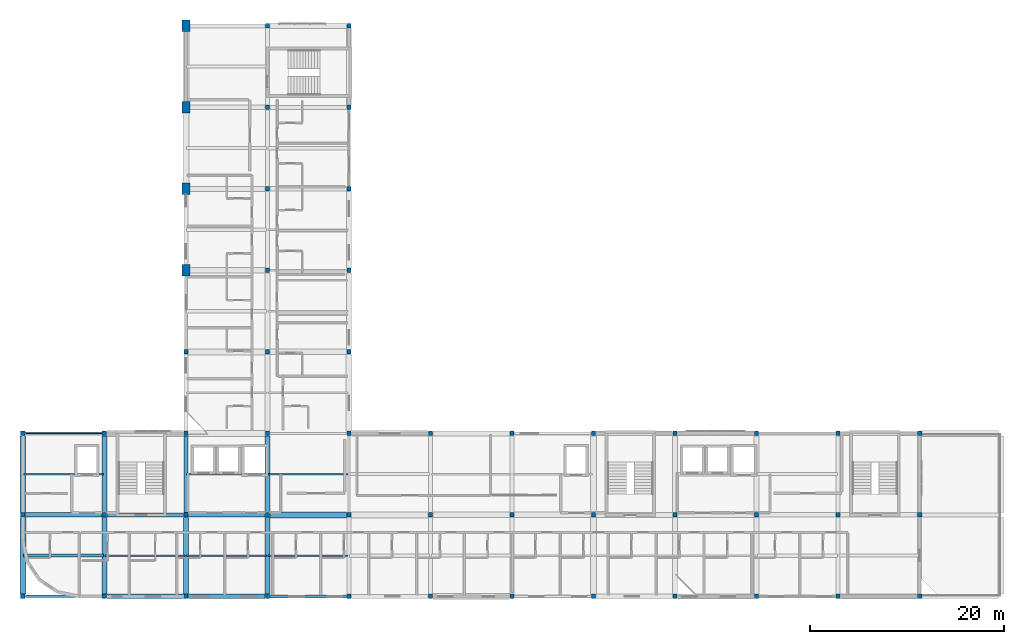
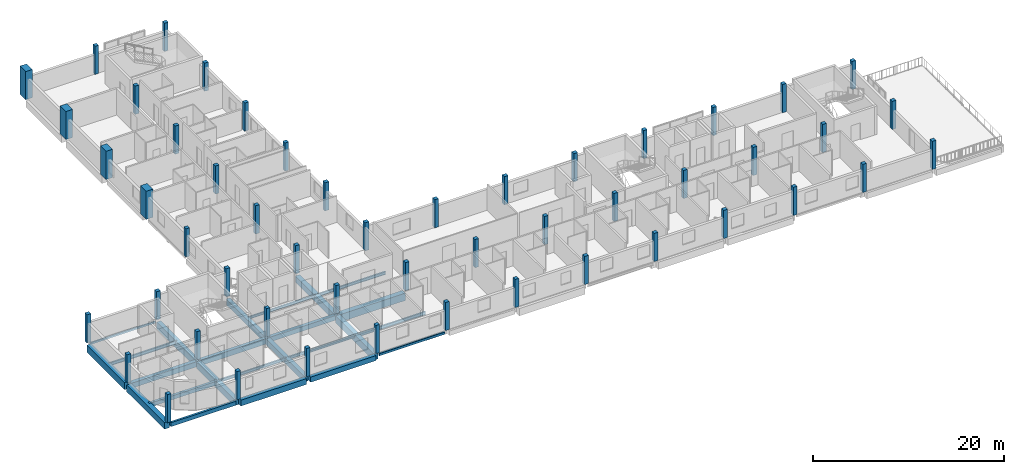
# One storey, part 1 of 19: 51 columns, 24 beams.
"""IFC4 building model written with IfcOpenShell, lengths in metres."""

from ifc_helpers import new_model, si_unit, derived_unit, direction, frame, origin, origin_2d, place, context, subcontext, project, spatial, rectangle, hollow_rectangle, i_section, extrude, material, material_profile, profile_set, type_object, element, save


model = new_model("IFC4")

# Units and contexts
model_context = context("Model", 3, precision=1e-05, world=origin(), true_north=direction((0.0, 1.0)))
body_context = subcontext(model_context, "Body", "Model", "MODEL_VIEW")
ifc_project = project(units=[si_unit("LENGTHUNIT", "METRE"), si_unit("AREAUNIT", "SQUARE_METRE"), si_unit("VOLUMEUNIT", "CUBIC_METRE"), si_unit("PLANEANGLEUNIT", "RADIAN"), si_unit("MASSUNIT", "GRAM", prefix="KILO"), derived_unit("THERMALTRANSMITTANCEUNIT", [(si_unit("POWERUNIT", "WATT"), 1), (si_unit("LENGTHUNIT", "METRE"), -2), (si_unit("THERMODYNAMICTEMPERATUREUNIT", "KELVIN"), -1)])], contexts=[model_context])

# Site, building, storey
site_placement = place(None, origin())
site = spatial("IfcSite", under=ifc_project, at=site_placement, CompositionType="ELEMENT")
building_placement = place(site_placement, origin())
building = spatial("IfcBuilding", under=site, at=building_placement, Name="Barrovel Congress Hotel", CompositionType="ELEMENT")
storey_placement = place(building_placement, frame((0.0, 0.0, 43.5)))
storey = spatial("IfcBuildingStorey", under=building, at=storey_placement, Name="L11", CompositionType="ELEMENT", Elevation=43.5)

# Columns
ifc_material_1 = material(Name="Concrete C40", Category="concrete")
ifc_material_profile_1 = material_profile(ifc_material_1, rectangle(XDim=0.449951171875, YDim=0.449951171875, at=origin_2d()), Name="RC450x450")
ifc_profile_set_1 = profile_set([ifc_material_profile_1], Name="Concrete C40")
column_type_1 = type_object("IfcColumnType", Name="COL-RC450x450", PredefinedType="COLUMN", material=ifc_profile_set_1)
for number, where, z_axis, x_axis, name in (
    (1, (16.800048828125, 4.199951171875, 0.0), (0.0, 0.0, 1.0), (1.0, 0.0, 0.0), "COL:L11:16.8:4.2"),
    (2, (16.800048828125, 12.60009765625, 0.0), (0.0, 0.0, 1.0), (1.0, 0.0, 0.0), "COL:L11:16.8:12.6"),
    (3, (16.800048828125, 21.0, 0.0), (0.0, 0.0, 1.0), (1.0, 0.0, 0.0), "COL:L11:16.8:21.0"),
    (4, (25.199951171875, 4.199951171875, 0.0), (0.0, 0.0, 1.0), (1.0, 0.0, 0.0), "COL:L11:25.2:4.2"),
    (5, (25.199951171875, 12.60009765625, 0.0), (0.0, 0.0, 1.0), (1.0, 0.0, 0.0), "COL:L11:25.2:12.6"),
    (6, (25.199951171875, 21.0, 0.0), (0.0, 0.0, 1.0), (1.0, 0.0, 0.0), "COL:L11:25.2:21.0"),
    (7, (33.60009765625, 4.199951171875, 0.0), (0.0, 0.0, 1.0), (1.0, 0.0, 0.0), "COL:L11:33.6:4.2"),
    (8, (33.60009765625, 12.60009765625, 0.0), (0.0, 0.0, 1.0), (1.0, 0.0, 0.0), "COL:L11:33.6:12.6"),
    (9, (33.60009765625, 21.0, 0.0), (0.0, 0.0, 1.0), (1.0, 0.0, 0.0), "COL:L11:33.6:21.0"),
    (10, (33.60009765625, 29.39990234375, 0.0), (0.0, 0.0, 1.0), (1.0, 0.0, 0.0), "COL:L11:33.6:29.4"),
    (11, (42.0, 4.199951171875, 0.0), (0.0, 0.0, 1.0), (1.0, 0.0, 0.0), "COL:L11:42.0:4.2"),
    (12, (42.0, 12.60009765625, 0.0), (0.0, 0.0, 1.0), (1.0, 0.0, 0.0), "COL:L11:42.0:12.6"),
    (13, (42.0, 21.0, 0.0), (0.0, 0.0, 1.0), (1.0, 0.0, 0.0), "COL:L11:42.0:21.0"),
    (14, (42.0, 29.39990234375, 0.0), (0.0, 0.0, 1.0), (1.0, 0.0, 0.0), "COL:L11:42.0:29.4"),
    (15, (42.0, 37.800048828125, 0.0), (0.0, 0.0, 1.0), (1.0, 0.0, 0.0), "COL:L11:42.0:37.8"),
    (16, (42.0, 46.199951171875, 0.0), (0.0, 0.0, 1.0), (1.0, 0.0, 0.0), "COL:L11:42.0:46.2"),
    (17, (42.0, 54.60009765625, 0.0), (0.0, 0.0, 1.0), (1.0, 0.0, 0.0), "COL:L11:42.0:54.6"),
    (18, (42.0, 63.0, 0.0), (0.0, 0.0, 1.0), (1.0, 0.0, 0.0), "COL:L11:42.0:63.0"),
    (19, (50.39990234375, 4.199951171875, 0.0), (0.0, 0.0, 1.0), (1.0, 0.0, 0.0), "COL:L11:50.4:4.2"),
    (20, (50.39990234375, 12.60009765625, 0.0), (0.0, 0.0, 1.0), (1.0, 0.0, 0.0), "COL:L11:50.4:12.6"),
    (21, (50.39990234375, 21.0, 0.0), (0.0, 0.0, 1.0), (1.0, 0.0, 0.0), "COL:L11:50.4:21.0"),
    (22, (50.39990234375, 29.39990234375, 0.0), (0.0, 0.0, 1.0), (1.0, 0.0, 0.0), "COL:L11:50.4:29.4"),
    (23, (50.39990234375, 37.800048828125, 0.0), (0.0, 0.0, 1.0), (1.0, 0.0, 0.0), "COL:L11:50.4:37.8"),
    (24, (50.39990234375, 46.199951171875, 0.0), (0.0, 0.0, 1.0), (1.0, 0.0, 0.0), "COL:L11:50.4:46.2"),
    (25, (50.39990234375, 54.60009765625, 0.0), (0.0, 0.0, 1.0), (1.0, 0.0, 0.0), "COL:L11:50.4:54.6"),
    (26, (50.39990234375, 63.0, 0.0), (0.0, 0.0, 1.0), (1.0, 0.0, 0.0), "COL:L11:50.4:63.0"),
    (27, (58.800048828125, 4.199951171875, 0.0), (0.0, 0.0, 1.0), (1.0, 0.0, 0.0), "COL:L11:58.8:4.2"),
    (28, (58.800048828125, 12.60009765625, 0.0), (0.0, 0.0, 1.0), (1.0, 0.0, 0.0), "COL:L11:58.8:12.6"),
    (29, (58.800048828125, 21.0, 0.0), (0.0, 0.0, 1.0), (1.0, 0.0, 0.0), "COL:L11:58.8:21.0"),
    (30, (67.199951171875, 4.199951171875, 0.0), (0.0, 0.0, 1.0), (1.0, 0.0, 0.0), "COL:L11:67.2:4.2"),
    (31, (67.199951171875, 12.60009765625, 0.0), (0.0, 0.0, 1.0), (1.0, 0.0, 0.0), "COL:L11:67.2:12.6"),
    (32, (67.199951171875, 21.0, 0.0), (0.0, 0.0, 1.0), (1.0, 0.0, 0.0), "COL:L11:67.2:21.0"),
    (33, (75.60009765625, 4.199951171875, 0.0), (0.0, 0.0, 1.0), (1.0, 0.0, 0.0), "COL:L11:75.6:4.2"),
    (34, (75.60009765625, 12.60009765625, 0.0), (0.0, 0.0, 1.0), (1.0, 0.0, 0.0), "COL:L11:75.6:12.6"),
    (35, (75.60009765625, 21.0, 0.0), (0.0, 0.0, 1.0), (1.0, 0.0, 0.0), "COL:L11:75.6:21.0"),
    (36, (84.0, 4.199951171875, 0.0), (0.0, 0.0, 1.0), (1.0, 0.0, 0.0), "COL:L11:84.0:4.2"),
    (37, (84.0, 12.60009765625, 0.0), (0.0, 0.0, 1.0), (1.0, 0.0, 0.0), "COL:L11:84.0:12.6"),
    (38, (84.0, 21.0, 0.0), (0.0, 0.0, 1.0), (1.0, 0.0, 0.0), "COL:L11:84.0:21.0"),
    (39, (92.39990234375, 4.199951171875, 0.0), (0.0, 0.0, 1.0), (1.0, 0.0, 0.0), "COL:L11:92.4:4.2"),
    (40, (92.39990234375, 12.60009765625, 0.0), (0.0, 0.0, 1.0), (1.0, 0.0, 0.0), "COL:L11:92.4:12.6"),
    (41, (92.39990234375, 21.0, 0.0), (0.0, 0.0, 1.0), (1.0, 0.0, 0.0), "COL:L11:92.4:21.0"),
    (42, (100.800048828125, 4.199951171875, 0.0), (0.0, 0.0, 1.0), (1.0, 0.0, 0.0), "COL:L11:100.8:4.2"),
    (43, (100.800048828125, 12.60009765625, 0.0), (0.0, 0.0, 1.0), (1.0, 0.0, 0.0), "COL:L11:100.8:12.6"),
    (44, (100.800048828125, 21.0, 0.0), (0.0, 0.0, 1.0), (1.0, 0.0, 0.0), "COL:L11:100.8:21.0"),
    (45, (109.199951171875, 4.199951171875, 0.0), (0.0, 0.0, 1.0), (1.0, 0.0, 0.0), "COL:L11:109.2:4.2"),
    (46, (109.199951171875, 12.60009765625, 0.0), (0.0, 0.0, 1.0), (1.0, 0.0, 0.0), "COL:L11:109.2:12.6"),
    (47, (109.199951171875, 21.0, 0.0), (0.0, 0.0, 1.0), (1.0, 0.0, 0.0), "COL:L11:109.2:21.0"),
):
    element("IfcColumn", number, at=place(storey_placement, frame(where, z_axis=z_axis, x_axis=x_axis)), inside=storey, type_object=column_type_1, Name=name, PredefinedType="COLUMN", context=body_context, shape_type="SweptSolid", body=[
        extrude(rectangle(XDim=0.449951171875, YDim=0.449951171875, at=origin_2d()), origin(), (0.0, 0.0, 1.0), 3.60009765625),
    ])
ifc_material_profile_2 = material_profile(ifc_material_1, rectangle(XDim=0.800048828125, YDim=1.199951171875, at=origin_2d()), Name="RC800x1200")
ifc_profile_set_2 = profile_set([ifc_material_profile_2], Name="Concrete C40")
column_type_2 = type_object("IfcColumnType", Name="COL-RC800x1200", PredefinedType="COLUMN", material=ifc_profile_set_2)
for number, where, z_axis, x_axis, name in (
    (48, (33.60009765625, 37.800048828125, 0.0), (0.0, 0.0, 1.0), (1.0, 0.0, 0.0), "COL:L11:33.6:37.8"),
    (49, (33.60009765625, 46.199951171875, 0.0), (0.0, 0.0, 1.0), (1.0, 0.0, 0.0), "COL:L11:33.6:46.2"),
    (50, (33.60009765625, 54.60009765625, 0.0), (0.0, 0.0, 1.0), (1.0, 0.0, 0.0), "COL:L11:33.6:54.6"),
    (51, (33.60009765625, 63.0, 0.0), (0.0, 0.0, 1.0), (1.0, 0.0, 0.0), "COL:L11:33.6:63.0"),
):
    element("IfcColumn", number, at=place(storey_placement, frame(where, z_axis=z_axis, x_axis=x_axis)), inside=storey, type_object=column_type_2, Name=name, PredefinedType="COLUMN", context=body_context, shape_type="SweptSolid", body=[
        extrude(rectangle(XDim=0.800048828125, YDim=1.199951171875, at=origin_2d()), origin(), (0.0, 0.0, 1.0), 3.60009765625),
    ])

# Beams
ifc_material_profile_3 = material_profile(ifc_material_1, rectangle(XDim=0.25, YDim=0.5, at=origin_2d()), Name="RC250x500")
ifc_profile_set_3 = profile_set([ifc_material_profile_3], Name="Concrete C40")
beam_type_1 = type_object("IfcBeamType", Name="BM-RC250x500", PredefinedType="SPANDREL", material=ifc_profile_set_3)
beam_1_placement = place(storey_placement, frame((17.050048828125, 4.199951171875, -0.469970703125), z_axis=(1.0, 0.0, 0.0), x_axis=(0.0, 1.0, 0.0)))
element("IfcBeam", 52, at=beam_1_placement, inside=storey, type_object=beam_type_1, Name="BMX:L11:4.2:16.8-25.2", PredefinedType="SPANDREL", context=body_context, shape_type="SweptSolid", body=[
    extrude(rectangle(XDim=0.25, YDim=0.5, at=origin_2d()), origin(), (0.0, 0.0, 1.0), 7.89990234375),
])
ifc_material_profile_4 = material_profile(ifc_material_1, rectangle(XDim=0.300048828125, YDim=0.5, at=origin_2d()), Name="RC300x500")
ifc_profile_set_4 = profile_set([ifc_material_profile_4], Name="Concrete C40")
beam_type_2 = type_object("IfcBeamType", Name="BM-RC300x500", PredefinedType="JOIST", material=ifc_profile_set_4)
beam_2_placement = place(storey_placement, frame((16.8798828125, 8.39990234375, -0.469970703125), z_axis=(1.0, 0.0, 0.0), x_axis=(0.0, 1.0, 0.0)))
element("IfcBeam", 53, at=beam_2_placement, inside=storey, type_object=beam_type_2, Name="JST:L11:16.8:8.4", PredefinedType="JOIST", context=body_context, shape_type="SweptSolid", body=[
    extrude(rectangle(XDim=0.300048828125, YDim=0.5, at=origin_2d()), origin(), (0.0, 0.0, 1.0), 8.240234375),
])
ifc_material_profile_5 = material_profile(ifc_material_1, rectangle(XDim=0.39990234375, YDim=0.60009765625, at=origin_2d()), Name="RC400x600")
ifc_profile_set_5 = profile_set([ifc_material_profile_5], Name="Concrete C40")
beam_type_3 = type_object("IfcBeamType", Name="BM-RC400x600", PredefinedType="BEAM", material=ifc_profile_set_5)
beam_3_placement = place(storey_placement, frame((33.85009765625, 12.60009765625, -0.52001953125), z_axis=(1.0, 0.0, 0.0), x_axis=(0.0, 1.0, 0.0)))
element("IfcBeam", 54, at=beam_3_placement, inside=storey, type_object=beam_type_3, Name="BMX:L11:12.6:33.6-42.0", PredefinedType="BEAM", context=body_context, shape_type="SweptSolid", body=[
    extrude(rectangle(XDim=0.39990234375, YDim=0.60009765625, at=origin_2d()), origin(), (0.0, 0.0, 1.0), 7.89990234375),
])
ifc_material_profile_6 = material_profile(ifc_material_1, rectangle(XDim=0.39990234375, YDim=0.699951171875, at=origin_2d()), Name="RC400x700")
ifc_profile_set_6 = profile_set([ifc_material_profile_6], Name="Concrete C40")
beam_type_4 = type_object("IfcBeamType", Name="BM-RC400x700", PredefinedType="BEAM", material=ifc_profile_set_6)
beam_4_placement = place(storey_placement, frame((25.449951171875, 12.60009765625, -0.570068359375), z_axis=(1.0, 0.0, 0.0), x_axis=(0.0, 1.0, 0.0)))
element("IfcBeam", 55, at=beam_4_placement, inside=storey, type_object=beam_type_4, Name="BMX:L11:12.6:25.2-33.6", PredefinedType="BEAM", context=body_context, shape_type="SweptSolid", body=[
    extrude(rectangle(XDim=0.39990234375, YDim=0.699951171875, at=origin_2d()), origin(), (0.0, 0.0, 1.0), 7.900146484375),
])
ifc_material_profile_7 = material_profile(ifc_material_1, rectangle(XDim=0.449951171875, YDim=0.64990234375, at=origin_2d()), Name="RC450x650")
ifc_profile_set_7 = profile_set([ifc_material_profile_7], Name="Concrete C40")
beam_type_5 = type_object("IfcBeamType", Name="BM-RC450x650", PredefinedType="BEAM", material=ifc_profile_set_7)
for number, where, z_axis, x_axis, name in (
    (56, (33.85009765625, 4.199951171875, -0.544921875), (1.0, 0.0, 0.0), (0.0, 1.0, 0.0), "BMX:L11:4.2:33.6-42.0"),
    (57, (17.050048828125, 12.60009765625, -0.544921875), (1.0, 0.0, 0.0), (0.0, 1.0, 0.0), "BMX:L11:12.6:16.8-25.2"),
):
    element("IfcBeam", number, at=place(storey_placement, frame(where, z_axis=z_axis, x_axis=x_axis)), inside=storey, type_object=beam_type_5, Name=name, PredefinedType="BEAM", context=body_context, shape_type="SweptSolid", body=[
        extrude(rectangle(XDim=0.449951171875, YDim=0.64990234375, at=origin_2d()), origin(), (0.0, 0.0, 1.0), 7.89990234375),
    ])
ifc_material_profile_8 = material_profile(ifc_material_1, rectangle(XDim=0.449951171875, YDim=0.75, at=origin_2d()), Name="RC450x750")
ifc_profile_set_8 = profile_set([ifc_material_profile_8], Name="Concrete C40")
beam_type_6 = type_object("IfcBeamType", Name="BM-RC450x750", PredefinedType="BEAM", material=ifc_profile_set_8)
beam_5_placement = place(storey_placement, frame((25.449951171875, 4.199951171875, -0.594970703125), z_axis=(1.0, 0.0, 0.0), x_axis=(0.0, 1.0, 0.0)))
element("IfcBeam", 58, at=beam_5_placement, inside=storey, type_object=beam_type_6, Name="BMX:L11:4.2:25.2-33.6", PredefinedType="BEAM", context=body_context, shape_type="SweptSolid", body=[
    extrude(rectangle(XDim=0.449951171875, YDim=0.75, at=origin_2d()), origin(), (0.0, 0.0, 1.0), 7.900146484375),
])
beam_6_placement = place(storey_placement, frame((33.60009765625, 12.85009765625, -0.594970703125), z_axis=(0.0, 1.0, 0.0), x_axis=(-1.0, 0.0, 0.0)))
element("IfcBeam", 59, at=beam_6_placement, inside=storey, type_object=beam_type_6, Name="BMY:L11:33.6:12.6-21.0", PredefinedType="BEAM", context=body_context, shape_type="SweptSolid", body=[
    extrude(rectangle(XDim=0.449951171875, YDim=0.75, at=origin_2d()), origin(), (0.0, 0.0, 1.0), 7.89990234375),
])
ifc_material_profile_9 = material_profile(ifc_material_1, rectangle(XDim=0.5, YDim=0.75, at=origin_2d()), Name="RC500x750")
ifc_profile_set_9 = profile_set([ifc_material_profile_9], Name="Concrete C40")
beam_type_7 = type_object("IfcBeamType", Name="BM-RC500x750", PredefinedType="BEAM", material=ifc_profile_set_9)
beam_7_placement = place(storey_placement, frame((33.60009765625, 4.449951171875, -0.594970703125), z_axis=(0.0, 1.0, 0.0), x_axis=(-1.0, 0.0, 0.0)))
element("IfcBeam", 60, at=beam_7_placement, inside=storey, type_object=beam_type_7, Name="BMY:L11:33.6:4.2-12.6", PredefinedType="BEAM", context=body_context, shape_type="SweptSolid", body=[
    extrude(rectangle(XDim=0.5, YDim=0.75, at=origin_2d()), origin(), (0.0, 0.0, 1.0), 7.900146484375),
])
ifc_material_profile_10 = material_profile(ifc_material_1, rectangle(XDim=0.5, YDim=0.85009765625, at=origin_2d()), Name="RC500x850")
ifc_profile_set_10 = profile_set([ifc_material_profile_10], Name="Concrete C40")
beam_type_8 = type_object("IfcBeamType", Name="BM-RC500x850", PredefinedType="BEAM", material=ifc_profile_set_10)
beam_8_placement = place(storey_placement, frame((25.199951171875, 12.85009765625, -0.64501953125), z_axis=(0.0, 1.0, 0.0), x_axis=(-1.0, 0.0, 0.0)))
element("IfcBeam", 61, at=beam_8_placement, inside=storey, type_object=beam_type_8, Name="BMY:L11:25.2:12.6-21.0", PredefinedType="BEAM", context=body_context, shape_type="SweptSolid", body=[
    extrude(rectangle(XDim=0.5, YDim=0.85009765625, at=origin_2d()), origin(), (0.0, 0.0, 1.0), 7.89990234375),
])
ifc_material_profile_11 = material_profile(ifc_material_1, rectangle(XDim=0.550048828125, YDim=0.800048828125, at=origin_2d()), Name="RC550x800")
ifc_profile_set_11 = profile_set([ifc_material_profile_11], Name="Concrete C40")
beam_type_9 = type_object("IfcBeamType", Name="BM-RC550x800", PredefinedType="BEAM", material=ifc_profile_set_11)
beam_9_placement = place(storey_placement, frame((25.199951171875, 4.449951171875, -0.6201171875), z_axis=(0.0, 1.0, 0.0), x_axis=(-1.0, 0.0, 0.0)))
element("IfcBeam", 62, at=beam_9_placement, inside=storey, type_object=beam_type_9, Name="BMY:L11:25.2:4.2-12.6", PredefinedType="BEAM", context=body_context, shape_type="SweptSolid", body=[
    extrude(rectangle(XDim=0.550048828125, YDim=0.800048828125, at=origin_2d()), origin(), (0.0, 0.0, 1.0), 7.900146484375),
])
beam_10_placement = place(storey_placement, frame((42.0, 12.85009765625, -0.6201171875), z_axis=(0.0, 1.0, 0.0), x_axis=(-1.0, 0.0, 0.0)))
element("IfcBeam", 63, at=beam_10_placement, inside=storey, type_object=beam_type_9, Name="BMY:L11:42.0:12.6-21.0", PredefinedType="BEAM", context=body_context, shape_type="SweptSolid", body=[
    extrude(rectangle(XDim=0.550048828125, YDim=0.800048828125, at=origin_2d()), origin(), (0.0, 0.0, 1.0), 7.89990234375),
])
ifc_material_profile_12 = material_profile(ifc_material_1, rectangle(XDim=0.550048828125, YDim=0.89990234375, at=origin_2d()), Name="RC550x900")
ifc_profile_set_12 = profile_set([ifc_material_profile_12], Name="Concrete C40")
beam_type_10 = type_object("IfcBeamType", Name="BM-RC550x900", PredefinedType="BEAM", material=ifc_profile_set_12)
beam_11_placement = place(storey_placement, frame((16.800048828125, 12.85009765625, -0.669921875), z_axis=(0.0, 1.0, 0.0), x_axis=(-1.0, 0.0, 0.0)))
element("IfcBeam", 64, at=beam_11_placement, inside=storey, type_object=beam_type_10, Name="BMY:L11:16.8:12.6-21.0", PredefinedType="BEAM", context=body_context, shape_type="SweptSolid", body=[
    extrude(rectangle(XDim=0.550048828125, YDim=0.89990234375, at=origin_2d()), origin(), (0.0, 0.0, 1.0), 7.89990234375),
])
beam_12_placement = place(storey_placement, frame((42.0, 4.449951171875, -0.669921875), z_axis=(0.0, 1.0, 0.0), x_axis=(-1.0, 0.0, 0.0)))
element("IfcBeam", 65, at=beam_12_placement, inside=storey, type_object=beam_type_10, Name="BMY:L11:42.0:4.2-12.6", PredefinedType="BEAM", context=body_context, shape_type="SweptSolid", body=[
    extrude(rectangle(XDim=0.550048828125, YDim=0.89990234375, at=origin_2d()), origin(), (0.0, 0.0, 1.0), 7.900146484375),
])
ifc_material_profile_13 = material_profile(ifc_material_1, rectangle(XDim=0.60009765625, YDim=0.85009765625, at=origin_2d()), Name="RC600x850")
ifc_profile_set_13 = profile_set([ifc_material_profile_13], Name="Concrete C40")
beam_type_11 = type_object("IfcBeamType", Name="BM-RC600x850", PredefinedType="BEAM", material=ifc_profile_set_13)
beam_13_placement = place(storey_placement, frame((16.800048828125, 4.449951171875, -0.64501953125), z_axis=(0.0, 1.0, 0.0), x_axis=(-1.0, 0.0, 0.0)))
element("IfcBeam", 66, at=beam_13_placement, inside=storey, type_object=beam_type_11, Name="BMY:L11:16.8:4.2-12.6", PredefinedType="BEAM", context=body_context, shape_type="SweptSolid", body=[
    extrude(rectangle(XDim=0.60009765625, YDim=0.85009765625, at=origin_2d()), origin(), (0.0, 0.0, 1.0), 7.900146484375),
])
ifc_material_profile_14 = material_profile(ifc_material_1, rectangle(XDim=0.60009765625, YDim=0.949951171875, at=origin_2d()), Name="RC600x950")
ifc_profile_set_14 = profile_set([ifc_material_profile_14], Name="Concrete C40")
beam_type_12 = type_object("IfcBeamType", Name="BM-RC600x950", PredefinedType="BEAM", material=ifc_profile_set_14)
beam_14_placement = place(storey_placement, frame((42.25, 12.60009765625, -0.695068359375), z_axis=(1.0, 0.0, 0.0), x_axis=(0.0, 1.0, 0.0)))
element("IfcBeam", 67, at=beam_14_placement, inside=storey, type_object=beam_type_12, Name="BMX:L11:12.6:42.0-50.4", PredefinedType="BEAM", context=body_context, shape_type="SweptSolid", body=[
    extrude(rectangle(XDim=0.60009765625, YDim=0.949951171875, at=origin_2d()), origin(), (0.0, 0.0, 1.0), 7.89990234375),
])
ifc_material_2 = material(Name="Steel ASTM A500 Grade C", Category="steel")
ifc_material_profile_15 = material_profile(ifc_material_2, hollow_rectangle(XDim=0.15234375, YDim=0.25390625, WallThickness=0.0087890625, InnerFilletRadius=0.0087890625, OuterFilletRadius=0.017578125, at=origin_2d()), Name="HSS254x152x9.5")
ifc_profile_set_15 = profile_set([ifc_material_profile_15], Name="Steel ASTM A500 Grade C")
beam_type_13 = type_object("IfcBeamType", Name="SBM-HSS254x152x9.5", PredefinedType="SPANDREL", material=ifc_profile_set_15)
beam_15_placement = place(storey_placement, frame((17.050048828125, 21.0, -0.346923828125), z_axis=(1.0, 0.0, 0.0), x_axis=(0.0, 1.0, 0.0)))
element("IfcBeam", 68, at=beam_15_placement, inside=storey, type_object=beam_type_13, Name="BMX:L11:21.0:16.8-25.2", PredefinedType="SPANDREL", context=body_context, shape_type="SweptSolid", body=[
    extrude(hollow_rectangle(XDim=0.15234375, YDim=0.25390625, WallThickness=0.0087890625, InnerFilletRadius=0.0087890625, OuterFilletRadius=0.017578125, at=origin_2d()), origin(), (0.0, 0.0, 1.0), 7.89990234375),
])
ifc_material_profile_16 = material_profile(ifc_material_2, hollow_rectangle(XDim=0.203125, YDim=0.3046875, WallThickness=0.01171875, InnerFilletRadius=0.01171875, OuterFilletRadius=0.023681640625, at=origin_2d()), Name="HSS305x203x12.7")
ifc_profile_set_16 = profile_set([ifc_material_profile_16], Name="Steel ASTM A500 Grade C")
beam_type_14 = type_object("IfcBeamType", Name="SBM-HSS305x203x12.7", PredefinedType="SPANDREL", material=ifc_profile_set_16)
beam_16_placement = place(storey_placement, frame((42.25, 4.199951171875, -0.372314453125), z_axis=(1.0, 0.0, 0.0), x_axis=(0.0, 1.0, 0.0)))
element("IfcBeam", 69, at=beam_16_placement, inside=storey, type_object=beam_type_14, Name="BMX:L11:4.2:42.0-50.4", PredefinedType="SPANDREL", context=body_context, shape_type="SweptSolid", body=[
    extrude(hollow_rectangle(XDim=0.203125, YDim=0.3046875, WallThickness=0.01171875, InnerFilletRadius=0.01171875, OuterFilletRadius=0.023681640625, at=origin_2d()), origin(), (0.0, 0.0, 1.0), 7.89990234375),
])
ifc_material_3 = material(Name="Steel ASTM A992 Grade 50", Category="steel")
ifc_material_profile_17 = material_profile(ifc_material_3, i_section(OverallWidth=0.1669921875, OverallDepth=0.31689453125, WebThickness=0.007568359375, FlangeThickness=0.01318359375, FilletRadius=0.010986328125, at=origin_2d()), Name="W310x52")
ifc_profile_set_17 = profile_set([ifc_material_profile_17], Name="Steel ASTM A992 Grade 50")
beam_type_15 = type_object("IfcBeamType", Name="SBM-W310x52", PredefinedType="JOIST", material=ifc_profile_set_17)
beam_17_placement = place(storey_placement, frame((33.679931640625, 16.800048828125, -0.37841796875), z_axis=(1.0, 0.0, 0.0), x_axis=(0.0, 1.0, 0.0)))
element("IfcBeam", 70, at=beam_17_placement, inside=storey, type_object=beam_type_15, Name="JST:L11:33.6:16.8", PredefinedType="JOIST", context=body_context, shape_type="SweptSolid", body=[
    extrude(i_section(OverallWidth=0.1669921875, OverallDepth=0.31689453125, WebThickness=0.007568359375, FlangeThickness=0.01318359375, FilletRadius=0.010986328125, at=origin_2d()), origin(), (0.0, 0.0, 1.0), 8.239990234375),
])
ifc_material_profile_18 = material_profile(ifc_material_3, i_section(OverallWidth=0.1708984375, OverallDepth=0.35205078125, WebThickness=0.0068359375, FlangeThickness=0.009765625, FilletRadius=0.011962890625, at=origin_2d()), Name="W360x44")
ifc_profile_set_18 = profile_set([ifc_material_profile_18], Name="Steel ASTM A992 Grade 50")
beam_type_16 = type_object("IfcBeamType", Name="SBM-W360x44", PredefinedType="JOIST", material=ifc_profile_set_18)
beam_18_placement = place(storey_placement, frame((33.679931640625, 8.39990234375, -0.39599609375), z_axis=(1.0, 0.0, 0.0), x_axis=(0.0, 1.0, 0.0)))
element("IfcBeam", 71, at=beam_18_placement, inside=storey, type_object=beam_type_16, Name="JST:L11:33.6:8.4", PredefinedType="JOIST", context=body_context, shape_type="SweptSolid", body=[
    extrude(i_section(OverallWidth=0.1708984375, OverallDepth=0.35205078125, WebThickness=0.0068359375, FlangeThickness=0.009765625, FilletRadius=0.011962890625, at=origin_2d()), origin(), (0.0, 0.0, 1.0), 8.239990234375),
])
ifc_material_profile_19 = material_profile(ifc_material_3, i_section(OverallWidth=0.172119140625, OverallDepth=0.35791015625, WebThickness=0.0078125, FlangeThickness=0.01318359375, FilletRadius=0.011962890625, at=origin_2d()), Name="W360x57")
ifc_profile_set_19 = profile_set([ifc_material_profile_19], Name="Steel ASTM A992 Grade 50")
beam_type_17 = type_object("IfcBeamType", Name="SBM-W360x57", PredefinedType="JOIST", material=ifc_profile_set_19)
for number, where, z_axis, x_axis, name in (
    (72, (25.280029296875, 8.39990234375, -0.39892578125), (1.0, 0.0, 0.0), (0.0, 1.0, 0.0), "JST:L11:25.2:8.4"),
    (73, (42.080078125, 16.800048828125, -0.39892578125), (1.0, 0.0, 0.0), (0.0, 1.0, 0.0), "JST:L11:42.0:16.8"),
):
    element("IfcBeam", number, at=place(storey_placement, frame(where, z_axis=z_axis, x_axis=x_axis)), inside=storey, type_object=beam_type_17, Name=name, PredefinedType="JOIST", context=body_context, shape_type="SweptSolid", body=[
        extrude(i_section(OverallWidth=0.172119140625, OverallDepth=0.35791015625, WebThickness=0.0078125, FlangeThickness=0.01318359375, FilletRadius=0.011962890625, at=origin_2d()), origin(), (0.0, 0.0, 1.0), 8.239990234375),
    ])
ifc_material_profile_20 = material_profile(ifc_material_3, i_section(OverallWidth=0.177001953125, OverallDepth=0.403076171875, WebThickness=0.007568359375, FlangeThickness=0.010986328125, FilletRadius=0.011962890625, at=origin_2d()), Name="W410x53")
ifc_profile_set_20 = profile_set([ifc_material_profile_20], Name="Steel ASTM A992 Grade 50")
beam_type_18 = type_object("IfcBeamType", Name="SBM-W410x53", PredefinedType="JOIST", material=ifc_profile_set_20)
beam_19_placement = place(storey_placement, frame((16.8798828125, 16.800048828125, -0.42138671875), z_axis=(1.0, 0.0, 0.0), x_axis=(0.0, 1.0, 0.0)))
element("IfcBeam", 74, at=beam_19_placement, inside=storey, type_object=beam_type_18, Name="JST:L11:16.8:16.8", PredefinedType="JOIST", context=body_context, shape_type="SweptSolid", body=[
    extrude(i_section(OverallWidth=0.177001953125, OverallDepth=0.403076171875, WebThickness=0.007568359375, FlangeThickness=0.010986328125, FilletRadius=0.011962890625, at=origin_2d()), origin(), (0.0, 0.0, 1.0), 8.240234375),
])
beam_20_placement = place(storey_placement, frame((42.080078125, 8.39990234375, -0.42138671875), z_axis=(1.0, 0.0, 0.0), x_axis=(0.0, 1.0, 0.0)))
element("IfcBeam", 75, at=beam_20_placement, inside=storey, type_object=beam_type_18, Name="JST:L11:42.0:8.4", PredefinedType="JOIST", context=body_context, shape_type="SweptSolid", body=[
    extrude(i_section(OverallWidth=0.177001953125, OverallDepth=0.403076171875, WebThickness=0.007568359375, FlangeThickness=0.010986328125, FilletRadius=0.011962890625, at=origin_2d()), origin(), (0.0, 0.0, 1.0), 8.239990234375),
])

save(model, "model.ifc")
